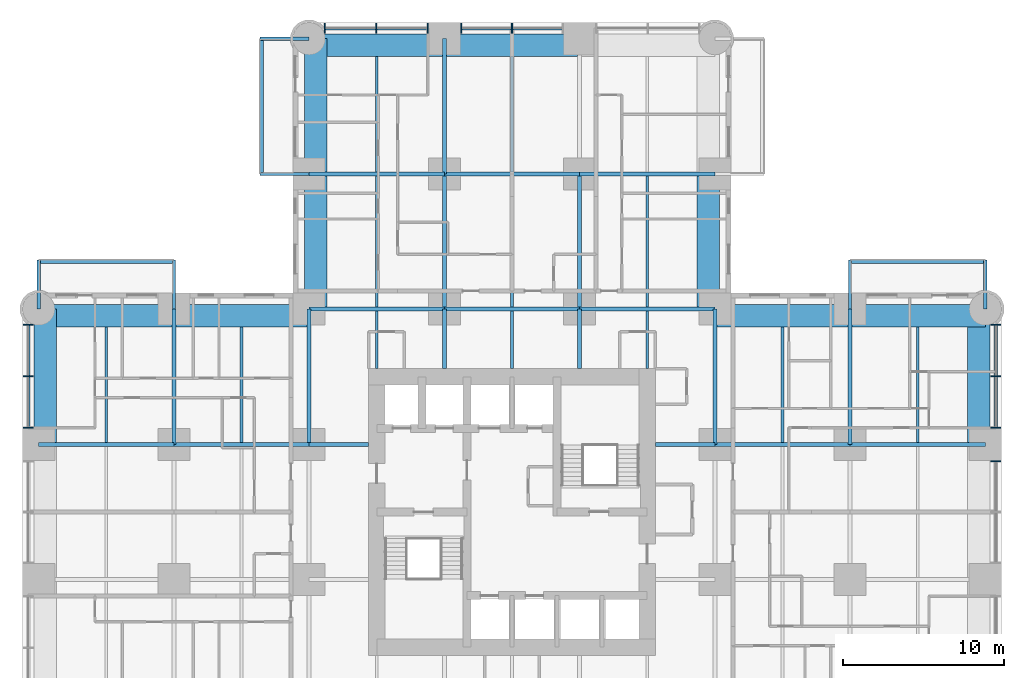
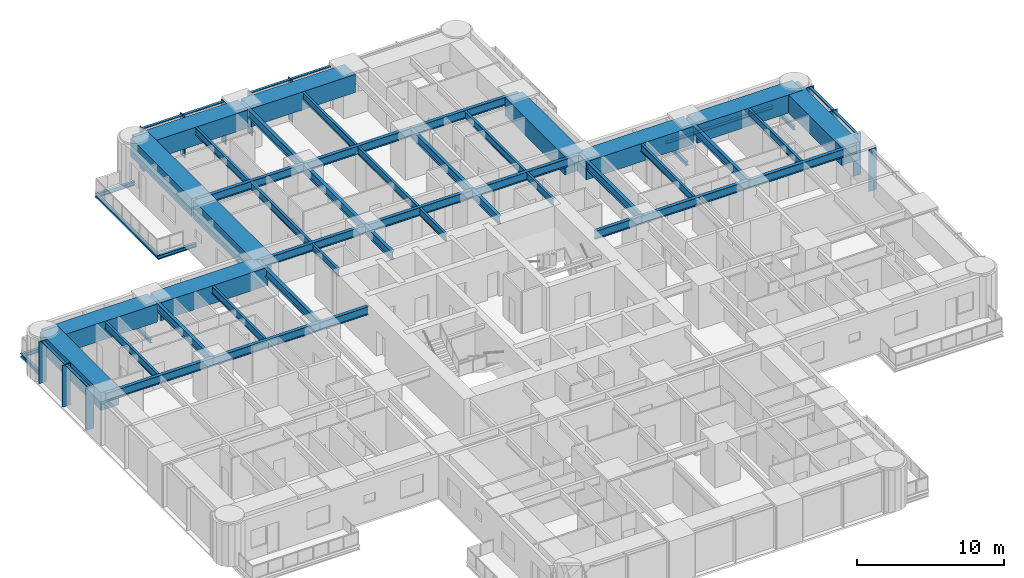
# One storey, part 4 of 17: 53 beams, 20 members, 3 elements without a shape of their own.
"""IFC4 building model written with IfcOpenShell, lengths in metres."""

from ifc_helpers import new_model, si_unit, direction, frame, origin, origin_2d, place, context, subcontext, project, spatial, rectangle, i_section, extrude, material, material_profile, profile_set, type_object, element, aggregate, save


model = new_model("IFC4")

# Units and contexts
model_context = context("Model", 3, precision=1e-05, world=origin(), true_north=direction((0.0, 1.0)))
body_context = subcontext(model_context, "Body", "Model", "MODEL_VIEW")
ifc_project = project(units=[si_unit("LENGTHUNIT", "METRE"), si_unit("AREAUNIT", "SQUARE_METRE"), si_unit("VOLUMEUNIT", "CUBIC_METRE"), si_unit("PLANEANGLEUNIT", "RADIAN"), si_unit("MASSUNIT", "GRAM", prefix="KILO")], contexts=[model_context])

# Site, building, storey
site_placement = place(None, origin())
site = spatial("IfcSite", under=ifc_project, at=site_placement, CompositionType="ELEMENT")
building_placement = place(site_placement, origin())
building = spatial("IfcBuilding", under=site, at=building_placement, Name="Torre Alcanfor", CompositionType="ELEMENT")
storey_placement = place(building_placement, frame((0.0, 0.0, 95.699951171875)))
storey = spatial("IfcBuildingStorey", under=building, at=storey_placement, Name="L24", CompositionType="ELEMENT", Elevation=95.699951171875)

# Beams
ifc_material_1 = material(Name="Steel ASTM A992 Grade 50", Category="steel")
ifc_material_profile_1 = material_profile(ifc_material_1, i_section(OverallWidth=0.205322265625, OverallDepth=0.309814453125, WebThickness=0.00927734375, FlangeThickness=0.016357421875, at=origin_2d()), Name="W12x50")
ifc_profile_set_1 = profile_set([ifc_material_profile_1], Name="Steel ASTM A992 Grade 50")
beam_type_1 = type_object("IfcBeamType", Name="Balcony cantilever beam W12x50", PredefinedType="BEAM", material=ifc_profile_set_1)
for number, where, z_axis, x_axis, name in (
    (1, (16.800048828125, 50.39990234375, -0.35498046875), (-1.0, 0.0, 0.0), (0.0, -1.0, 0.0), "Balcony cantilever beam L24-N1 1"),
    (2, (16.800048828125, 58.800048828125, -0.35498046875), (-1.0, 0.0, 0.0), (0.0, -1.0, 0.0), "Balcony cantilever beam L24-N1 2"),
    (3, (50.39990234375, 42.0, -0.35498046875), (0.0, 1.0, 0.0), (-1.0, 0.0, 0.0), "Balcony cantilever beam L24-E1 1"),
    (4, (58.800048828125, 42.0, -0.35498046875), (0.0, 1.0, 0.0), (-1.0, 0.0, 0.0), "Balcony cantilever beam L24-E1 2"),
    (5, (8.39990234375, 42.0, -0.35498046875), (0.0, 1.0, 0.0), (-1.0, 0.0, 0.0), "Balcony cantilever beam L24-W2 1"),
    (6, (0.0, 42.0, -0.35498046875), (0.0, 1.0, 0.0), (-1.0, 0.0, 0.0), "Balcony cantilever beam L24-W2 2"),
):
    element("IfcBeam", number, at=place(storey_placement, frame(where, z_axis=z_axis, x_axis=x_axis)), inside=storey, type_object=beam_type_1, Name=name, PredefinedType="BEAM", context=body_context, shape_type="SweptSolid", body=[
        extrude(i_section(OverallWidth=0.205322265625, OverallDepth=0.309814453125, WebThickness=0.00927734375, FlangeThickness=0.016357421875, at=origin_2d()), origin(), (0.0, 0.0, 1.0), 3.050048828125),
    ])
ifc_material_2 = material(Name="Steel ASTM A992 Grade 50", Category="steel")
ifc_material_profile_2 = material_profile(ifc_material_2, i_section(OverallWidth=0.203369140625, OverallDepth=0.30224609375, WebThickness=0.007568359375, FlangeThickness=0.01318359375, at=origin_2d()), Name="W12x40")
ifc_profile_set_2 = profile_set([ifc_material_profile_2], Name="Steel ASTM A992 Grade 50")
beam_type_2 = type_object("IfcBeamType", Name="Balcony edge trimmer W12x40", PredefinedType="BEAM", material=ifc_profile_set_2)
for number, where, z_axis, x_axis, name in (
    (7, (13.851806640625, 50.39990234375, -0.35107421875), (0.0, 1.0, 0.0), (-1.0, 0.0, 0.0), "Balcony edge trimmer L24-N1"),
    (8, (50.39990234375, 44.9482421875, -0.35107421875), (1.0, 0.0, 0.0), (0.0, 1.0, 0.0), "Balcony edge trimmer L24-E1"),
):
    element("IfcBeam", number, at=place(storey_placement, frame(where, z_axis=z_axis, x_axis=x_axis)), inside=storey, type_object=beam_type_2, Name=name, PredefinedType="BEAM", context=body_context, shape_type="SweptSolid", body=[
        extrude(i_section(OverallWidth=0.203369140625, OverallDepth=0.30224609375, WebThickness=0.007568359375, FlangeThickness=0.01318359375, at=origin_2d()), origin(), (0.0, 0.0, 1.0), 8.400146484375),
    ])
beam_1_placement = place(storey_placement, frame((8.39990234375, 44.9482421875, -0.35107421875), z_axis=(-1.0, 0.0, 0.0), x_axis=(0.0, -1.0, 0.0)))
element("IfcBeam", 9, at=beam_1_placement, inside=storey, type_object=beam_type_2, Name="Balcony edge trimmer L24-W2", PredefinedType="BEAM", context=body_context, shape_type="SweptSolid", body=[
    extrude(i_section(OverallWidth=0.203369140625, OverallDepth=0.30224609375, WebThickness=0.007568359375, FlangeThickness=0.01318359375, at=origin_2d()), origin(), (0.0, 0.0, 1.0), 8.39990234375),
])

# Curtain wall, members
ifc_material_3 = material(Name="Aluminium and glass", Category="aluminium")
curtain_wall_type = type_object("IfcCurtainWallType", Name="CW-A unitised apartment glazing with vertical FIN", PredefinedType="NOTDEFINED", material=ifc_material_3)
curtain_wall_1_placement = place(storey_placement, origin())
curtain_wall_1 = element("IfcCurtainWall", 10, at=curtain_wall_1_placement, inside=storey, type_object=curtain_wall_type, Name="Curtain wall CW-A L24 2", PredefinedType="NOTDEFINED")
ifc_material_4 = material(Name="Bronze anodised aluminium", Category="aluminium")
ifc_material_profile_3 = material_profile(ifc_material_4, rectangle(XDim=0.60009765625, YDim=0.06494140625, at=origin_2d()), Name="CW-A mullion 65x600")
ifc_profile_set_3 = profile_set([ifc_material_profile_3], Name="Bronze anodised aluminium")
member_type_1 = type_object("IfcMemberType", Name="CW-A mullion with vertical FIN 65x600", PredefinedType="MULLION", material=ifc_profile_set_3)
member_1_placement = place(storey_placement, frame((-0.64990234375, 41.025390625, 0.0), z_axis=(0.0, 0.0, 1.0), x_axis=(1.0, 0.0, 0.0)))
member_1 = element("IfcMember", 11, at=member_1_placement, type_object=member_type_1, Name="CW-A mullion 1.1", PredefinedType="MULLION", context=body_context, shape_type="SweptSolid", body=[
    extrude(rectangle(XDim=0.60009765625, YDim=0.06494140625, at=origin_2d()), origin(), (0.0, 0.0, 1.0), 3.449951171875),
])
member_2_placement = place(storey_placement, frame((-0.64990234375, 37.83154296875, 0.0), z_axis=(0.0, 0.0, 1.0), x_axis=(1.0, 0.0, 0.0)))
member_2 = element("IfcMember", 12, at=member_2_placement, type_object=member_type_1, Name="CW-A mullion 1.2", PredefinedType="MULLION", context=body_context, shape_type="SweptSolid", body=[
    extrude(rectangle(XDim=0.60009765625, YDim=0.06494140625, at=origin_2d()), origin(), (0.0, 0.0, 1.0), 3.449951171875),
])
member_3_placement = place(storey_placement, frame((-0.64990234375, 34.637451171875, 0.0), z_axis=(0.0, 0.0, 1.0), x_axis=(1.0, 0.0, 0.0)))
member_3 = element("IfcMember", 13, at=member_3_placement, type_object=member_type_1, Name="CW-A mullion 1.3", PredefinedType="MULLION", context=body_context, shape_type="SweptSolid", body=[
    extrude(rectangle(XDim=0.60009765625, YDim=0.06494140625, at=origin_2d()), origin(), (0.0, 0.0, 1.0), 3.449951171875),
])

curtain_wall_2_placement = place(storey_placement, origin())
curtain_wall_2 = element("IfcCurtainWall", 14, at=curtain_wall_2_placement, inside=storey, type_object=curtain_wall_type, Name="Curtain wall CW-A L24 8", PredefinedType="NOTDEFINED")
member_4_placement = place(storey_placement, frame((59.449951171875, 32.5625, 0.0), z_axis=(0.0, 0.0, 1.0), x_axis=(-1.0, 0.0, 0.0)))
member_4 = element("IfcMember", 15, at=member_4_placement, type_object=member_type_1, Name="CW-A mullion 2.3", PredefinedType="MULLION", context=body_context, shape_type="SweptSolid", body=[
    extrude(rectangle(XDim=0.60009765625, YDim=0.06494140625, at=origin_2d()), origin(), (0.0, 0.0, 1.0), 3.449951171875),
])
member_5_placement = place(storey_placement, frame((59.449951171875, 34.637451171875, 0.0), z_axis=(0.0, 0.0, 1.0), x_axis=(-1.0, 0.0, 0.0)))
member_5 = element("IfcMember", 16, at=member_5_placement, type_object=member_type_1, Name="CW-A mullion 3.1", PredefinedType="MULLION", context=body_context, shape_type="SweptSolid", body=[
    extrude(rectangle(XDim=0.60009765625, YDim=0.06494140625, at=origin_2d()), origin(), (0.0, 0.0, 1.0), 3.449951171875),
])
member_6_placement = place(storey_placement, frame((59.449951171875, 37.83154296875, 0.0), z_axis=(0.0, 0.0, 1.0), x_axis=(-1.0, 0.0, 0.0)))
member_6 = element("IfcMember", 17, at=member_6_placement, type_object=member_type_1, Name="CW-A mullion 3.2", PredefinedType="MULLION", context=body_context, shape_type="SweptSolid", body=[
    extrude(rectangle(XDim=0.60009765625, YDim=0.06494140625, at=origin_2d()), origin(), (0.0, 0.0, 1.0), 3.449951171875),
])
member_7_placement = place(storey_placement, frame((59.449951171875, 41.025390625, 0.0), z_axis=(0.0, 0.0, 1.0), x_axis=(-1.0, 0.0, 0.0)))
member_7 = element("IfcMember", 18, at=member_7_placement, type_object=member_type_1, Name="CW-A mullion 3.3", PredefinedType="MULLION", context=body_context, shape_type="SweptSolid", body=[
    extrude(rectangle(XDim=0.60009765625, YDim=0.06494140625, at=origin_2d()), origin(), (0.0, 0.0, 1.0), 3.449951171875),
])

curtain_wall_3_placement = place(storey_placement, origin())
curtain_wall_3 = element("IfcCurtainWall", 19, at=curtain_wall_3_placement, inside=storey, type_object=curtain_wall_type, Name="Curtain wall CW-A L24 11", PredefinedType="NOTDEFINED")
member_8_placement = place(storey_placement, frame((29.39990234375, 59.449951171875, 0.0), z_axis=(0.0, 0.0, 1.0), x_axis=(0.0, -1.0, 0.0)))
member_8 = element("IfcMember", 20, at=member_8_placement, type_object=member_type_1, Name="CW-A mullion 2.2", PredefinedType="MULLION", context=body_context, shape_type="SweptSolid", body=[
    extrude(rectangle(XDim=0.60009765625, YDim=0.06494140625, at=origin_2d()), origin(), (0.0, 0.0, 1.0), 3.449951171875),
])
member_9_placement = place(storey_placement, frame((26.237548828125, 59.449951171875, 0.0), z_axis=(0.0, 0.0, 1.0), x_axis=(0.0, -1.0, 0.0)))
member_9 = element("IfcMember", 21, at=member_9_placement, type_object=member_type_1, Name="CW-A mullion 2.3", PredefinedType="MULLION", context=body_context, shape_type="SweptSolid", body=[
    extrude(rectangle(XDim=0.60009765625, YDim=0.06494140625, at=origin_2d()), origin(), (0.0, 0.0, 1.0), 3.449951171875),
])
member_10_placement = place(storey_placement, frame((24.16259765625, 59.449951171875, 0.0), z_axis=(0.0, 0.0, 1.0), x_axis=(0.0, -1.0, 0.0)))
member_10 = element("IfcMember", 22, at=member_10_placement, type_object=member_type_1, Name="CW-A mullion 3.1", PredefinedType="MULLION", context=body_context, shape_type="SweptSolid", body=[
    extrude(rectangle(XDim=0.60009765625, YDim=0.06494140625, at=origin_2d()), origin(), (0.0, 0.0, 1.0), 3.449951171875),
])
member_11_placement = place(storey_placement, frame((20.968505859375, 59.449951171875, 0.0), z_axis=(0.0, 0.0, 1.0), x_axis=(0.0, -1.0, 0.0)))
member_11 = element("IfcMember", 23, at=member_11_placement, type_object=member_type_1, Name="CW-A mullion 3.2", PredefinedType="MULLION", context=body_context, shape_type="SweptSolid", body=[
    extrude(rectangle(XDim=0.60009765625, YDim=0.06494140625, at=origin_2d()), origin(), (0.0, 0.0, 1.0), 3.449951171875),
])
member_12_placement = place(storey_placement, frame((17.7744140625, 59.449951171875, 0.0), z_axis=(0.0, 0.0, 1.0), x_axis=(0.0, -1.0, 0.0)))
member_12 = element("IfcMember", 24, at=member_12_placement, type_object=member_type_1, Name="CW-A mullion 3.3", PredefinedType="MULLION", context=body_context, shape_type="SweptSolid", body=[
    extrude(rectangle(XDim=0.60009765625, YDim=0.06494140625, at=origin_2d()), origin(), (0.0, 0.0, 1.0), 3.449951171875),
])

# Member
ifc_material_5 = material(Name="Extruded aluminium", Category="aluminium")
ifc_material_profile_4 = material_profile(ifc_material_5, rectangle(XDim=0.199951171875, YDim=0.06494140625, at=origin_2d()), Name="CW-A transom 200x65")
ifc_profile_set_4 = profile_set([ifc_material_profile_4], Name="Extruded aluminium")
member_type_2 = type_object("IfcMemberType", Name="CW-A transom 65x200", PredefinedType="USERDEFINED", material=ifc_profile_set_4)
member_13_placement = place(storey_placement, frame((-0.64990234375, 40.992919921875, 3.41748046875), z_axis=(0.0, -1.0, 0.0), x_axis=(1.0, 0.0, 0.0)))
member_13 = element("IfcMember", 25, at=member_13_placement, type_object=member_type_2, Name="CW-A transom 1.1.2", ObjectType="TRANSOM", PredefinedType="USERDEFINED", context=body_context, shape_type="SweptSolid", body=[
    extrude(rectangle(XDim=0.199951171875, YDim=0.06494140625, at=origin_2d()), origin(), (0.0, 0.0, 1.0), 3.12890625),
])

member_14_placement = place(storey_placement, frame((-0.64990234375, 37.799072265625, 3.41748046875), z_axis=(0.0, -1.0, 0.0), x_axis=(1.0, 0.0, 0.0)))
member_14 = element("IfcMember", 26, at=member_14_placement, type_object=member_type_2, Name="CW-A transom 1.2.2", ObjectType="TRANSOM", PredefinedType="USERDEFINED", context=body_context, shape_type="SweptSolid", body=[
    extrude(rectangle(XDim=0.199951171875, YDim=0.06494140625, at=origin_2d()), origin(), (0.0, 0.0, 1.0), 3.129150390625),
])

aggregate(curtain_wall_1, [member_1, member_2, member_3, member_13, member_14])

member_15_placement = place(storey_placement, frame((59.449951171875, 34.669921875, 3.41748046875), z_axis=(0.0, 1.0, 0.0), x_axis=(-1.0, 0.0, 0.0)))
member_15 = element("IfcMember", 27, at=member_15_placement, type_object=member_type_2, Name="CW-A transom 3.1.2", ObjectType="TRANSOM", PredefinedType="USERDEFINED", context=body_context, shape_type="SweptSolid", body=[
    extrude(rectangle(XDim=0.199951171875, YDim=0.06494140625, at=origin_2d()), origin(), (0.0, 0.0, 1.0), 3.129150390625),
])

member_16_placement = place(storey_placement, frame((59.449951171875, 37.864013671875, 3.41748046875), z_axis=(0.0, 1.0, 0.0), x_axis=(-1.0, 0.0, 0.0)))
member_16 = element("IfcMember", 28, at=member_16_placement, type_object=member_type_2, Name="CW-A transom 3.2.2", ObjectType="TRANSOM", PredefinedType="USERDEFINED", context=body_context, shape_type="SweptSolid", body=[
    extrude(rectangle(XDim=0.199951171875, YDim=0.06494140625, at=origin_2d()), origin(), (0.0, 0.0, 1.0), 3.12890625),
])

aggregate(curtain_wall_2, [member_4, member_5, member_6, member_7, member_15, member_16])

member_17_placement = place(storey_placement, frame((32.530029296875, 59.449951171875, 3.41748046875), z_axis=(-1.0, 0.0, 0.0), x_axis=(0.0, -1.0, 0.0)))
member_17 = element("IfcMember", 29, at=member_17_placement, type_object=member_type_2, Name="CW-A transom 2.1.2", ObjectType="TRANSOM", PredefinedType="USERDEFINED", context=body_context, shape_type="SweptSolid", body=[
    extrude(rectangle(XDim=0.199951171875, YDim=0.06494140625, at=origin_2d()), origin(), (0.0, 0.0, 1.0), 3.097412109375),
])

member_18_placement = place(storey_placement, frame((29.367431640625, 59.449951171875, 3.41748046875), z_axis=(-1.0, 0.0, 0.0), x_axis=(0.0, -1.0, 0.0)))
member_18 = element("IfcMember", 30, at=member_18_placement, type_object=member_type_2, Name="CW-A transom 2.2.2", ObjectType="TRANSOM", PredefinedType="USERDEFINED", context=body_context, shape_type="SweptSolid", body=[
    extrude(rectangle(XDim=0.199951171875, YDim=0.06494140625, at=origin_2d()), origin(), (0.0, 0.0, 1.0), 3.097412109375),
])

member_19_placement = place(storey_placement, frame((24.1298828125, 59.449951171875, 3.41748046875), z_axis=(-1.0, 0.0, 0.0), x_axis=(0.0, -1.0, 0.0)))
member_19 = element("IfcMember", 31, at=member_19_placement, type_object=member_type_2, Name="CW-A transom 3.1.2", ObjectType="TRANSOM", PredefinedType="USERDEFINED", context=body_context, shape_type="SweptSolid", body=[
    extrude(rectangle(XDim=0.199951171875, YDim=0.06494140625, at=origin_2d()), origin(), (0.0, 0.0, 1.0), 3.12890625),
])

member_20_placement = place(storey_placement, frame((20.93603515625, 59.449951171875, 3.41748046875), z_axis=(-1.0, 0.0, 0.0), x_axis=(0.0, -1.0, 0.0)))
member_20 = element("IfcMember", 32, at=member_20_placement, type_object=member_type_2, Name="CW-A transom 3.2.2", ObjectType="TRANSOM", PredefinedType="USERDEFINED", context=body_context, shape_type="SweptSolid", body=[
    extrude(rectangle(XDim=0.199951171875, YDim=0.06494140625, at=origin_2d()), origin(), (0.0, 0.0, 1.0), 3.129150390625),
])

aggregate(curtain_wall_3, [member_8, member_9, member_17, member_18, member_10, member_11, member_12, member_19, member_20])

# Beams
ifc_material_6 = material(Name="Steel ASTM A992 Grade 50", Category="steel")
ifc_material_profile_5 = material_profile(ifc_material_6, i_section(OverallWidth=0.25390625, OverallDepth=0.683349609375, WebThickness=0.012451171875, FlangeThickness=0.01904296875, at=origin_2d()), Name="W27x94")
ifc_profile_set_5 = profile_set([ifc_material_profile_5], Name="Steel ASTM A992 Grade 50")
beam_type_3 = type_object("IfcBeamType", Name="Girder W27x94", PredefinedType="BEAM", material=ifc_profile_set_5)
beam_2_placement = place(storey_placement, frame((0.0, 33.60009765625, 3.1083984375), z_axis=(1.0, 0.0, 0.0), x_axis=(0.0, 1.0, 0.0)))
element("IfcBeam", 33, at=beam_2_placement, inside=storey, type_object=beam_type_3, Name="Beam 1G-2G under L25", PredefinedType="BEAM", context=body_context, shape_type="SweptSolid", body=[
    extrude(i_section(OverallWidth=0.25390625, OverallDepth=0.683349609375, WebThickness=0.012451171875, FlangeThickness=0.01904296875, at=origin_2d()), origin(), (0.0, 0.0, 1.0), 8.39990234375),
])
beam_3_placement = place(storey_placement, frame((8.39990234375, 33.60009765625, 3.1083984375), z_axis=(1.0, 0.0, 0.0), x_axis=(0.0, 1.0, 0.0)))
element("IfcBeam", 34, at=beam_3_placement, inside=storey, type_object=beam_type_3, Name="Beam 2G-3G under L25", PredefinedType="BEAM", context=body_context, shape_type="SweptSolid", body=[
    extrude(i_section(OverallWidth=0.25390625, OverallDepth=0.683349609375, WebThickness=0.012451171875, FlangeThickness=0.01904296875, at=origin_2d()), origin(), (0.0, 0.0, 1.0), 8.400146484375),
])
beam_4_placement = place(storey_placement, frame((42.0, 33.60009765625, 3.1083984375), z_axis=(1.0, 0.0, 0.0), x_axis=(0.0, 1.0, 0.0)))
element("IfcBeam", 35, at=beam_4_placement, inside=storey, type_object=beam_type_3, Name="Beam 6G-7G under L25", PredefinedType="BEAM", context=body_context, shape_type="SweptSolid", body=[
    extrude(i_section(OverallWidth=0.25390625, OverallDepth=0.683349609375, WebThickness=0.012451171875, FlangeThickness=0.01904296875, at=origin_2d()), origin(), (0.0, 0.0, 1.0), 8.39990234375),
])
beam_5_placement = place(storey_placement, frame((50.39990234375, 33.60009765625, 3.1083984375), z_axis=(1.0, 0.0, 0.0), x_axis=(0.0, 1.0, 0.0)))
element("IfcBeam", 36, at=beam_5_placement, inside=storey, type_object=beam_type_3, Name="Beam 7G-8G under L25", PredefinedType="BEAM", context=body_context, shape_type="SweptSolid", body=[
    extrude(i_section(OverallWidth=0.25390625, OverallDepth=0.683349609375, WebThickness=0.012451171875, FlangeThickness=0.01904296875, at=origin_2d()), origin(), (0.0, 0.0, 1.0), 8.400146484375),
])
beam_6_placement = place(storey_placement, frame((16.800048828125, 42.0, 3.1083984375), z_axis=(1.0, 0.0, 0.0), x_axis=(0.0, 1.0, 0.0)))
element("IfcBeam", 37, at=beam_6_placement, inside=storey, type_object=beam_type_3, Name="Beam 3H-4H under L25", PredefinedType="BEAM", context=body_context, shape_type="SweptSolid", body=[
    extrude(i_section(OverallWidth=0.25390625, OverallDepth=0.683349609375, WebThickness=0.012451171875, FlangeThickness=0.01904296875, at=origin_2d()), origin(), (0.0, 0.0, 1.0), 8.39990234375),
])
beam_7_placement = place(storey_placement, frame((25.199951171875, 42.0, 3.1083984375), z_axis=(1.0, 0.0, 0.0), x_axis=(0.0, 1.0, 0.0)))
element("IfcBeam", 38, at=beam_7_placement, inside=storey, type_object=beam_type_3, Name="Beam 4H-5H under L25", PredefinedType="BEAM", context=body_context, shape_type="SweptSolid", body=[
    extrude(i_section(OverallWidth=0.25390625, OverallDepth=0.683349609375, WebThickness=0.012451171875, FlangeThickness=0.01904296875, at=origin_2d()), origin(), (0.0, 0.0, 1.0), 8.400146484375),
])
for number, where, z_axis, x_axis, name in (
    (39, (33.60009765625, 42.0, 3.1083984375), (1.0, 0.0, 0.0), (0.0, 1.0, 0.0), "Beam 5H-6H under L25"),
    (40, (16.800048828125, 50.39990234375, 3.1083984375), (1.0, 0.0, 0.0), (0.0, 1.0, 0.0), "Beam 3J-4J under L25"),
):
    element("IfcBeam", number, at=place(storey_placement, frame(where, z_axis=z_axis, x_axis=x_axis)), inside=storey, type_object=beam_type_3, Name=name, PredefinedType="BEAM", context=body_context, shape_type="SweptSolid", body=[
        extrude(i_section(OverallWidth=0.25390625, OverallDepth=0.683349609375, WebThickness=0.012451171875, FlangeThickness=0.01904296875, at=origin_2d()), origin(), (0.0, 0.0, 1.0), 8.39990234375),
    ])
beam_8_placement = place(storey_placement, frame((25.199951171875, 50.39990234375, 3.1083984375), z_axis=(1.0, 0.0, 0.0), x_axis=(0.0, 1.0, 0.0)))
element("IfcBeam", 41, at=beam_8_placement, inside=storey, type_object=beam_type_3, Name="Beam 4J-5J under L25", PredefinedType="BEAM", context=body_context, shape_type="SweptSolid", body=[
    extrude(i_section(OverallWidth=0.25390625, OverallDepth=0.683349609375, WebThickness=0.012451171875, FlangeThickness=0.01904296875, at=origin_2d()), origin(), (0.0, 0.0, 1.0), 8.400146484375),
])
for number, where, z_axis, x_axis, name in (
    (42, (33.60009765625, 50.39990234375, 3.1083984375), (1.0, 0.0, 0.0), (0.0, 1.0, 0.0), "Beam 5J-6J under L25"),
    (43, (8.39990234375, 33.60009765625, 3.1083984375), (0.0, 1.0, 0.0), (-1.0, 0.0, 0.0), "Beam 2G-2H under L25"),
    (44, (16.800048828125, 33.60009765625, 3.1083984375), (0.0, 1.0, 0.0), (-1.0, 0.0, 0.0), "Beam 3G-3H under L25"),
    (45, (25.199951171875, 42.0, 3.1083984375), (0.0, 1.0, 0.0), (-1.0, 0.0, 0.0), "Beam 4H-4J under L25"),
):
    element("IfcBeam", number, at=place(storey_placement, frame(where, z_axis=z_axis, x_axis=x_axis)), inside=storey, type_object=beam_type_3, Name=name, PredefinedType="BEAM", context=body_context, shape_type="SweptSolid", body=[
        extrude(i_section(OverallWidth=0.25390625, OverallDepth=0.683349609375, WebThickness=0.012451171875, FlangeThickness=0.01904296875, at=origin_2d()), origin(), (0.0, 0.0, 1.0), 8.39990234375),
    ])
beam_9_placement = place(storey_placement, frame((25.199951171875, 50.39990234375, 3.1083984375), z_axis=(0.0, 1.0, 0.0), x_axis=(-1.0, 0.0, 0.0)))
element("IfcBeam", 46, at=beam_9_placement, inside=storey, type_object=beam_type_3, Name="Beam 4J-4K under L25", PredefinedType="BEAM", context=body_context, shape_type="SweptSolid", body=[
    extrude(i_section(OverallWidth=0.25390625, OverallDepth=0.683349609375, WebThickness=0.012451171875, FlangeThickness=0.01904296875, at=origin_2d()), origin(), (0.0, 0.0, 1.0), 8.400146484375),
])
for number, where, z_axis, x_axis, name in (
    (47, (33.60009765625, 42.0, 3.1083984375), (0.0, 1.0, 0.0), (-1.0, 0.0, 0.0), "Beam 5H-5J under L25"),
    (48, (42.0, 33.60009765625, 3.1083984375), (0.0, 1.0, 0.0), (-1.0, 0.0, 0.0), "Beam 6G-6H under L25"),
    (49, (50.39990234375, 33.60009765625, 3.1083984375), (0.0, 1.0, 0.0), (-1.0, 0.0, 0.0), "Beam 7G-7H under L25"),
):
    element("IfcBeam", number, at=place(storey_placement, frame(where, z_axis=z_axis, x_axis=x_axis)), inside=storey, type_object=beam_type_3, Name=name, PredefinedType="BEAM", context=body_context, shape_type="SweptSolid", body=[
        extrude(i_section(OverallWidth=0.25390625, OverallDepth=0.683349609375, WebThickness=0.012451171875, FlangeThickness=0.01904296875, at=origin_2d()), origin(), (0.0, 0.0, 1.0), 8.39990234375),
    ])
ifc_material_7 = material(Name="Steel ASTM A992 Grade 50", Category="steel")
ifc_material_profile_6 = material_profile(ifc_material_7, i_section(OverallWidth=0.25390625, OverallDepth=0.683349609375, WebThickness=0.012451171875, FlangeThickness=0.01904296875, at=origin_2d()), Name="W27x94")
ifc_profile_set_6 = profile_set([ifc_material_profile_6], Name="Steel ASTM A992 Grade 50")
beam_type_4 = type_object("IfcBeamType", Name="Girder, part bay W27x94", PredefinedType="BEAM", material=ifc_profile_set_6)
for number, where, z_axis, x_axis, name in (
    (50, (25.199951171875, 42.0, 3.1083984375), (0.0, -1.0, 0.0), (1.0, 0.0, 0.0), "Beam 4H-438_3 under L25"),
    (51, (33.60009765625, 42.0, 3.1083984375), (0.0, -1.0, 0.0), (1.0, 0.0, 0.0), "Beam 5H-538_3 under L25"),
    (52, (16.800048828125, 33.60009765625, 3.1083984375), (1.0, 0.0, 0.0), (0.0, 1.0, 0.0), "Beam 3G-20_5G under L25"),
    (53, (42.0, 33.60009765625, 3.1083984375), (-1.0, 0.0, 0.0), (0.0, -1.0, 0.0), "Beam 6G-38_3G under L25"),
):
    element("IfcBeam", number, at=place(storey_placement, frame(where, z_axis=z_axis, x_axis=x_axis)), inside=storey, type_object=beam_type_4, Name=name, PredefinedType="BEAM", context=body_context, shape_type="SweptSolid", body=[
        extrude(i_section(OverallWidth=0.25390625, OverallDepth=0.683349609375, WebThickness=0.012451171875, FlangeThickness=0.01904296875, at=origin_2d()), origin(), (0.0, 0.0, 1.0), 3.699951171875),
    ])
ifc_material_8 = material(Name="Concrete f'c 70 MPa", Category="concrete")
ifc_material_profile_7 = material_profile(ifc_material_8, rectangle(XDim=1.39990234375, YDim=1.5, at=origin_2d()), Name="1400x1500")
ifc_profile_set_7 = profile_set([ifc_material_profile_7], Name="Concrete f'c 70 MPa")
beam_type_5 = type_object("IfcBeamType", Name="RC perimeter beam 1400x1500", PredefinedType="BEAM", material=ifc_profile_set_7)
beam_10_placement = place(storey_placement, frame((0.0, 41.60009765625, 2.699951171875), z_axis=(1.0, 0.0, 0.0), x_axis=(0.0, 1.0, 0.0)))
element("IfcBeam", 54, at=beam_10_placement, inside=storey, type_object=beam_type_5, Name="Beam 1H-2H under L25", PredefinedType="BEAM", context=body_context, shape_type="SweptSolid", body=[
    extrude(rectangle(XDim=1.39990234375, YDim=1.5, at=origin_2d()), origin(), (0.0, 0.0, 1.0), 8.27294921875),
])
for number, where, z_axis, x_axis, name in (
    (55, (8.527099609375, 41.60009765625, 2.699951171875), (1.0, 0.0, 0.0), (0.0, 1.0, 0.0), "Beam 2H-3H under L25"),
    (56, (41.873046875, 41.60009765625, 2.699951171875), (1.0, 0.0, 0.0), (0.0, 1.0, 0.0), "Beam 6H-7H under L25"),
):
    element("IfcBeam", number, at=place(storey_placement, frame(where, z_axis=z_axis, x_axis=x_axis)), inside=storey, type_object=beam_type_5, Name=name, PredefinedType="BEAM", context=body_context, shape_type="SweptSolid", body=[
        extrude(rectangle(XDim=1.39990234375, YDim=1.5, at=origin_2d()), origin(), (0.0, 0.0, 1.0), 8.39990234375),
    ])
for number, where, z_axis, x_axis, name in (
    (57, (50.527099609375, 41.60009765625, 2.699951171875), (1.0, 0.0, 0.0), (0.0, 1.0, 0.0), "Beam 7H-8H under L25"),
    (58, (16.800048828125, 58.39990234375, 2.699951171875), (1.0, 0.0, 0.0), (0.0, 1.0, 0.0), "Beam 3K-4K under L25"),
):
    element("IfcBeam", number, at=place(storey_placement, frame(where, z_axis=z_axis, x_axis=x_axis)), inside=storey, type_object=beam_type_5, Name=name, PredefinedType="BEAM", context=body_context, shape_type="SweptSolid", body=[
        extrude(rectangle(XDim=1.39990234375, YDim=1.5, at=origin_2d()), origin(), (0.0, 0.0, 1.0), 8.27294921875),
    ])
beam_11_placement = place(storey_placement, frame((25.326904296875, 58.39990234375, 2.699951171875), z_axis=(1.0, 0.0, 0.0), x_axis=(0.0, 1.0, 0.0)))
element("IfcBeam", 59, at=beam_11_placement, inside=storey, type_object=beam_type_5, Name="Beam 4K-5K under L25", PredefinedType="BEAM", context=body_context, shape_type="SweptSolid", body=[
    extrude(rectangle(XDim=1.39990234375, YDim=1.5, at=origin_2d()), origin(), (0.0, 0.0, 1.0), 8.14599609375),
])
beam_12_placement = place(storey_placement, frame((0.39990234375, 33.72705078125, 2.699951171875), z_axis=(0.0, 1.0, 0.0), x_axis=(-1.0, 0.0, 0.0)))
element("IfcBeam", 60, at=beam_12_placement, inside=storey, type_object=beam_type_5, Name="Beam 1G-1H under L25", PredefinedType="BEAM", context=body_context, shape_type="SweptSolid", body=[
    extrude(rectangle(XDim=1.39990234375, YDim=1.5, at=origin_2d()), origin(), (0.0, 0.0, 1.0), 8.27294921875),
])
beam_13_placement = place(storey_placement, frame((17.199951171875, 42.126953125, 2.699951171875), z_axis=(0.0, 1.0, 0.0), x_axis=(-1.0, 0.0, 0.0)))
element("IfcBeam", 61, at=beam_13_placement, inside=storey, type_object=beam_type_5, Name="Beam 3H-3J under L25", PredefinedType="BEAM", context=body_context, shape_type="SweptSolid", body=[
    extrude(rectangle(XDim=1.39990234375, YDim=1.5, at=origin_2d()), origin(), (0.0, 0.0, 1.0), 8.14599609375),
])
beam_14_placement = place(storey_placement, frame((17.199951171875, 50.527099609375, 2.699951171875), z_axis=(0.0, 1.0, 0.0), x_axis=(-1.0, 0.0, 0.0)))
element("IfcBeam", 62, at=beam_14_placement, inside=storey, type_object=beam_type_5, Name="Beam 3J-3K under L25", PredefinedType="BEAM", context=body_context, shape_type="SweptSolid", body=[
    extrude(rectangle(XDim=1.39990234375, YDim=1.5, at=origin_2d()), origin(), (0.0, 0.0, 1.0), 8.27294921875),
])
beam_15_placement = place(storey_placement, frame((41.60009765625, 42.126953125, 2.699951171875), z_axis=(0.0, 1.0, 0.0), x_axis=(-1.0, 0.0, 0.0)))
element("IfcBeam", 63, at=beam_15_placement, inside=storey, type_object=beam_type_5, Name="Beam 6H-6J under L25", PredefinedType="BEAM", context=body_context, shape_type="SweptSolid", body=[
    extrude(rectangle(XDim=1.39990234375, YDim=1.5, at=origin_2d()), origin(), (0.0, 0.0, 1.0), 8.14599609375),
])
beam_16_placement = place(storey_placement, frame((58.39990234375, 33.72705078125, 2.699951171875), z_axis=(0.0, 1.0, 0.0), x_axis=(-1.0, 0.0, 0.0)))
element("IfcBeam", 64, at=beam_16_placement, inside=storey, type_object=beam_type_5, Name="Beam 8G-8H under L25", PredefinedType="BEAM", context=body_context, shape_type="SweptSolid", body=[
    extrude(rectangle(XDim=1.39990234375, YDim=1.5, at=origin_2d()), origin(), (0.0, 0.0, 1.0), 8.27294921875),
])
ifc_material_9 = material(Name="Steel ASTM A992 Grade 50", Category="steel")
ifc_material_profile_8 = material_profile(ifc_material_9, i_section(OverallWidth=0.1787109375, OverallDepth=0.60205078125, WebThickness=0.010986328125, FlangeThickness=0.014892578125, at=origin_2d()), Name="W24x62")
ifc_profile_set_8 = profile_set([ifc_material_profile_8], Name="Steel ASTM A992 Grade 50")
beam_type_6 = type_object("IfcBeamType", Name="Secondary beam W24x62", PredefinedType="BEAM", material=ifc_profile_set_8)
for number, where, z_axis, x_axis, name in (
    (65, (4.199951171875, 33.72705078125, 3.149169921875), (0.0, 1.0, 0.0), (-1.0, 0.0, 0.0), "Beam 4_2G-4_2H under L25"),
    (66, (12.60009765625, 33.72705078125, 3.149169921875), (0.0, 1.0, 0.0), (-1.0, 0.0, 0.0), "Beam 12_6G-12_6H under L25"),
):
    element("IfcBeam", number, at=place(storey_placement, frame(where, z_axis=z_axis, x_axis=x_axis)), inside=storey, type_object=beam_type_6, Name=name, PredefinedType="BEAM", context=body_context, shape_type="SweptSolid", body=[
        extrude(i_section(OverallWidth=0.1787109375, OverallDepth=0.60205078125, WebThickness=0.010986328125, FlangeThickness=0.014892578125, at=origin_2d()), origin(), (0.0, 0.0, 1.0), 7.1728515625),
    ])
beam_17_placement = place(storey_placement, frame((21.0, 42.126953125, 3.149169921875), z_axis=(0.0, 1.0, 0.0), x_axis=(-1.0, 0.0, 0.0)))
element("IfcBeam", 67, at=beam_17_placement, inside=storey, type_object=beam_type_6, Name="Beam 21H-21J under L25", PredefinedType="BEAM", context=body_context, shape_type="SweptSolid", body=[
    extrude(i_section(OverallWidth=0.1787109375, OverallDepth=0.60205078125, WebThickness=0.010986328125, FlangeThickness=0.014892578125, at=origin_2d()), origin(), (0.0, 0.0, 1.0), 8.14599609375),
])
beam_18_placement = place(storey_placement, frame((21.0, 50.527099609375, 3.149169921875), z_axis=(0.0, 1.0, 0.0), x_axis=(-1.0, 0.0, 0.0)))
element("IfcBeam", 68, at=beam_18_placement, inside=storey, type_object=beam_type_6, Name="Beam 21J-21K under L25", PredefinedType="BEAM", context=body_context, shape_type="SweptSolid", body=[
    extrude(i_section(OverallWidth=0.1787109375, OverallDepth=0.60205078125, WebThickness=0.010986328125, FlangeThickness=0.014892578125, at=origin_2d()), origin(), (0.0, 0.0, 1.0), 7.1728515625),
])
beam_19_placement = place(storey_placement, frame((29.39990234375, 42.126953125, 3.149169921875), z_axis=(0.0, 1.0, 0.0), x_axis=(-1.0, 0.0, 0.0)))
element("IfcBeam", 69, at=beam_19_placement, inside=storey, type_object=beam_type_6, Name="Beam 29_4H-29_4J under L25", PredefinedType="BEAM", context=body_context, shape_type="SweptSolid", body=[
    extrude(i_section(OverallWidth=0.1787109375, OverallDepth=0.60205078125, WebThickness=0.010986328125, FlangeThickness=0.014892578125, at=origin_2d()), origin(), (0.0, 0.0, 1.0), 8.14599609375),
])
beam_20_placement = place(storey_placement, frame((29.39990234375, 50.527099609375, 3.149169921875), z_axis=(0.0, 1.0, 0.0), x_axis=(-1.0, 0.0, 0.0)))
element("IfcBeam", 70, at=beam_20_placement, inside=storey, type_object=beam_type_6, Name="Beam 29_4J-29_4K under L25", PredefinedType="BEAM", context=body_context, shape_type="SweptSolid", body=[
    extrude(i_section(OverallWidth=0.1787109375, OverallDepth=0.60205078125, WebThickness=0.010986328125, FlangeThickness=0.014892578125, at=origin_2d()), origin(), (0.0, 0.0, 1.0), 7.1728515625),
])
beam_21_placement = place(storey_placement, frame((37.800048828125, 42.126953125, 3.149169921875), z_axis=(0.0, 1.0, 0.0), x_axis=(-1.0, 0.0, 0.0)))
element("IfcBeam", 71, at=beam_21_placement, inside=storey, type_object=beam_type_6, Name="Beam 37_8H-37_8J under L25", PredefinedType="BEAM", context=body_context, shape_type="SweptSolid", body=[
    extrude(i_section(OverallWidth=0.1787109375, OverallDepth=0.60205078125, WebThickness=0.010986328125, FlangeThickness=0.014892578125, at=origin_2d()), origin(), (0.0, 0.0, 1.0), 8.14599609375),
])
for number, where, z_axis, x_axis, name in (
    (72, (46.199951171875, 33.72705078125, 3.149169921875), (0.0, 1.0, 0.0), (-1.0, 0.0, 0.0), "Beam 46_2G-46_2H under L25"),
    (73, (54.60009765625, 33.72705078125, 3.149169921875), (0.0, 1.0, 0.0), (-1.0, 0.0, 0.0), "Beam 54_6G-54_6H under L25"),
):
    element("IfcBeam", number, at=place(storey_placement, frame(where, z_axis=z_axis, x_axis=x_axis)), inside=storey, type_object=beam_type_6, Name=name, PredefinedType="BEAM", context=body_context, shape_type="SweptSolid", body=[
        extrude(i_section(OverallWidth=0.1787109375, OverallDepth=0.60205078125, WebThickness=0.010986328125, FlangeThickness=0.014892578125, at=origin_2d()), origin(), (0.0, 0.0, 1.0), 7.1728515625),
    ])
ifc_material_10 = material(Name="Steel ASTM A992 Grade 50", Category="steel")
ifc_material_profile_9 = material_profile(ifc_material_10, i_section(OverallWidth=0.1787109375, OverallDepth=0.60205078125, WebThickness=0.010986328125, FlangeThickness=0.014892578125, at=origin_2d()), Name="W24x62")
ifc_profile_set_9 = profile_set([ifc_material_profile_9], Name="Steel ASTM A992 Grade 50")
beam_type_7 = type_object("IfcBeamType", Name="Secondary beam, part bay W24x62", PredefinedType="BEAM", material=ifc_profile_set_9)
for number, where, z_axis, x_axis, name in (
    (74, (21.0, 38.300048828125, 3.149169921875), (0.0, 1.0, 0.0), (-1.0, 0.0, 0.0), "Beam 2138_3-21H under L25"),
    (75, (29.39990234375, 38.300048828125, 3.149169921875), (0.0, 1.0, 0.0), (-1.0, 0.0, 0.0), "Beam 29_438_3-29_4H under L25"),
    (76, (37.800048828125, 38.300048828125, 3.149169921875), (0.0, 1.0, 0.0), (-1.0, 0.0, 0.0), "Beam 37_838_3-37_8H under L25"),
):
    element("IfcBeam", number, at=place(storey_placement, frame(where, z_axis=z_axis, x_axis=x_axis)), inside=storey, type_object=beam_type_7, Name=name, PredefinedType="BEAM", context=body_context, shape_type="SweptSolid", body=[
        extrude(i_section(OverallWidth=0.1787109375, OverallDepth=0.60205078125, WebThickness=0.010986328125, FlangeThickness=0.014892578125, at=origin_2d()), origin(), (0.0, 0.0, 1.0), 3.572998046875),
    ])

save(model, "model.ifc")
